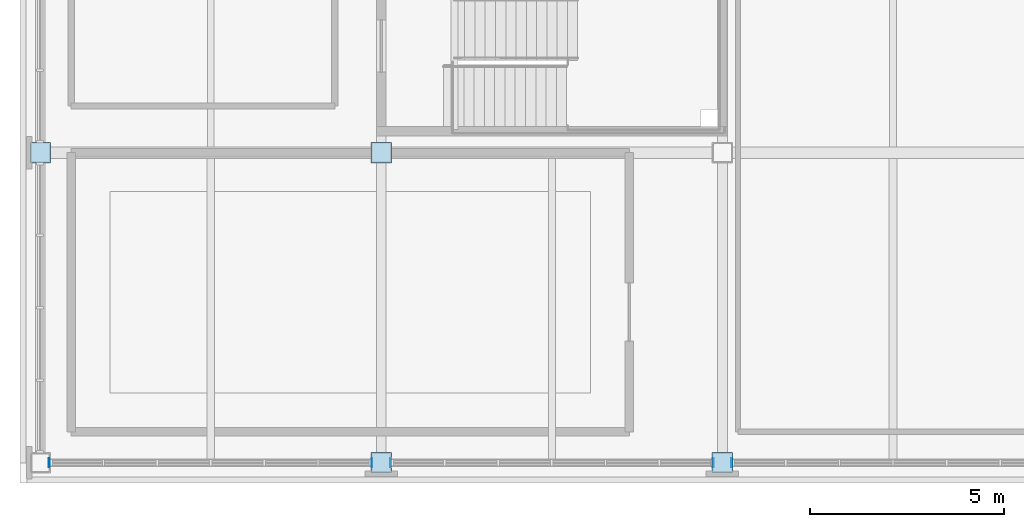
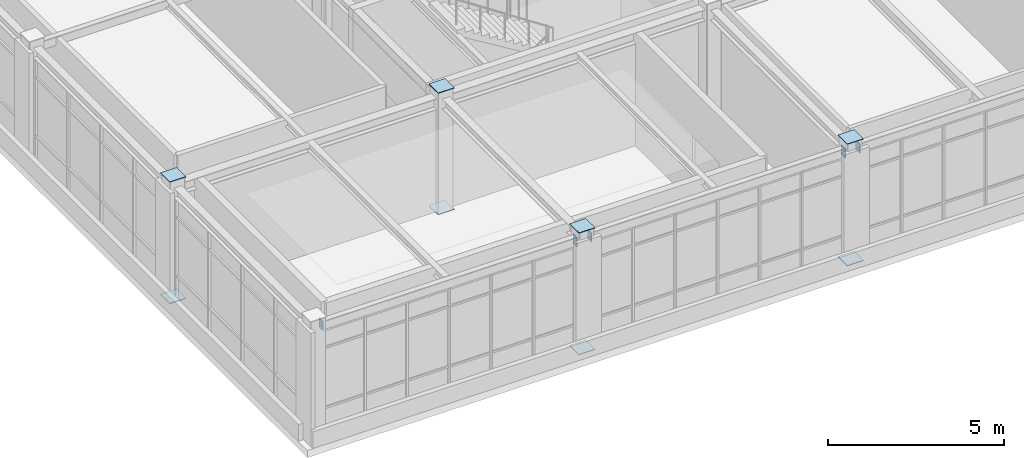
# One storey, part 27 of 45: 13 plates.
"""IFC4 building model written with IfcOpenShell, lengths in metres."""

from ifc_helpers import new_model, si_unit, direction, frame, origin, origin_2d, place, context, subcontext, project, spatial, rectangle, extrude, material, layer, layer_set, type_object, element, save


model = new_model("IFC4")

# Units and contexts
model_context = context("Model", 3, precision=1e-05, world=origin(), true_north=direction((0.0, 1.0)))
body_context = subcontext(model_context, "Body", "Model", "MODEL_VIEW")
ifc_project = project(units=[si_unit("LENGTHUNIT", "METRE"), si_unit("AREAUNIT", "SQUARE_METRE"), si_unit("VOLUMEUNIT", "CUBIC_METRE"), si_unit("PLANEANGLEUNIT", "RADIAN"), si_unit("MASSUNIT", "GRAM", prefix="KILO")], contexts=[model_context])

# Site, building, storey
site_placement = place(None, origin())
site = spatial("IfcSite", under=ifc_project, at=site_placement, CompositionType="ELEMENT")
building_placement = place(site_placement, origin())
building = spatial("IfcBuilding", under=site, at=building_placement, Name="Zhaolan Boulevard Law Courts", CompositionType="ELEMENT")
storey_placement = place(building_placement, frame((0.0, 0.0, 24.60009765625)))
storey = spatial("IfcBuildingStorey", under=building, at=storey_placement, Name="L05", CompositionType="ELEMENT", Elevation=24.60009765625)

# Plates
ifc_material = material(Name="Structural steel Q355B", Category="steel")
ifc_layer = layer(ifc_material, 0.02001953125)
ifc_layer_set = layer_set([ifc_layer])
plate_type = type_object("IfcPlateType", Name="END CAP PLATE 20", PredefinedType="SHEET", material=ifc_layer_set)
for number, where, z_axis, x_axis, name in (
    (1, (0.0, 38.0, -0.01806640625), (0.0, 0.0, 1.0), (1.0, 0.0, 0.0), "Hollow Section End-Cap Plate ECP-0033"),
    (2, (0.0, 38.0, 4.197998046875), (0.0, 0.0, 1.0), (1.0, 0.0, 0.0), "Hollow Section End-Cap Plate ECP-0034"),
    (3, (8.800048828125, 30.0, -0.01806640625), (0.0, 0.0, 1.0), (1.0, 0.0, 0.0), "Hollow Section End-Cap Plate ECP-0147"),
    (4, (8.800048828125, 30.0, 4.197998046875), (0.0, 0.0, 1.0), (1.0, 0.0, 0.0), "Hollow Section End-Cap Plate ECP-0148"),
    (5, (8.800048828125, 38.0, -0.01806640625), (0.0, 0.0, 1.0), (1.0, 0.0, 0.0), "Hollow Section End-Cap Plate ECP-0167"),
    (6, (8.800048828125, 38.0, 4.197998046875), (0.0, 0.0, 1.0), (1.0, 0.0, 0.0), "Hollow Section End-Cap Plate ECP-0168"),
    (7, (17.60009765625, 30.0, -0.01806640625), (0.0, 0.0, 1.0), (1.0, 0.0, 0.0), "Hollow Section End-Cap Plate ECP-0281"),
    (8, (17.60009765625, 30.0, 4.197998046875), (0.0, 0.0, 1.0), (1.0, 0.0, 0.0), "Hollow Section End-Cap Plate ECP-0282"),
):
    element("IfcPlate", number, at=place(storey_placement, frame(where, z_axis=z_axis, x_axis=x_axis)), inside=storey, type_object=plate_type, Name=name, PredefinedType="SHEET", context=body_context, shape_type="SweptSolid", body=[
        extrude(rectangle(XDim=0.530029296875, YDim=0.530029296875, at=origin_2d()), origin(), (0.0, 0.0, 1.0), 0.02001953125),
    ])
for number, where, z_axis, x_axis, name in (
    (9, (0.238037109375, 30.0, 3.6328125), (0.0, 0.0, 1.0), (1.0, 0.0, 0.0), "Hollow Section End-Cap Plate ECP-0979"),
    (10, (8.56201171875, 30.0, 3.6328125), (0.0, 0.0, 1.0), (1.0, 0.0, 0.0), "Hollow Section End-Cap Plate ECP-0980"),
    (11, (9.0380859375, 30.0, 3.6328125), (0.0, 0.0, 1.0), (1.0, 0.0, 0.0), "Hollow Section End-Cap Plate ECP-0981"),
    (12, (17.362060546875, 30.0, 3.6328125), (0.0, 0.0, 1.0), (1.0, 0.0, 0.0), "Hollow Section End-Cap Plate ECP-0982"),
    (13, (17.837890625, 30.0, 3.6328125), (0.0, 0.0, 1.0), (1.0, 0.0, 0.0), "Hollow Section End-Cap Plate ECP-0983"),
):
    element("IfcPlate", number, at=place(storey_placement, frame(where, z_axis=z_axis, x_axis=x_axis)), inside=storey, type_object=plate_type, Name=name, PredefinedType="SHEET", context=body_context, shape_type="SweptSolid", body=[
        extrude(rectangle(XDim=0.02001953125, YDim=0.22998046875, at=origin_2d()), origin(), (0.0, 0.0, 1.0), 0.330078125),
    ])

save(model, "model.ifc")
